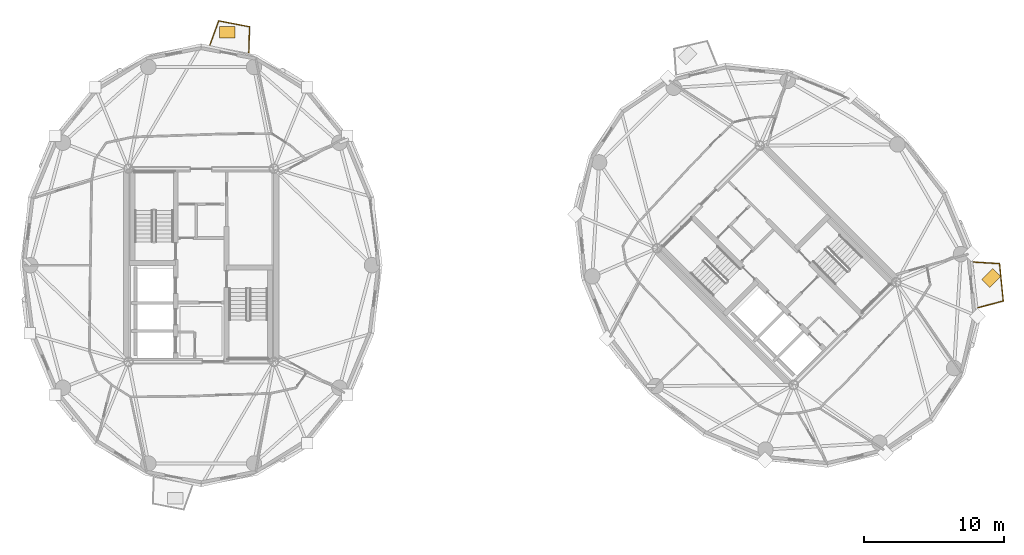
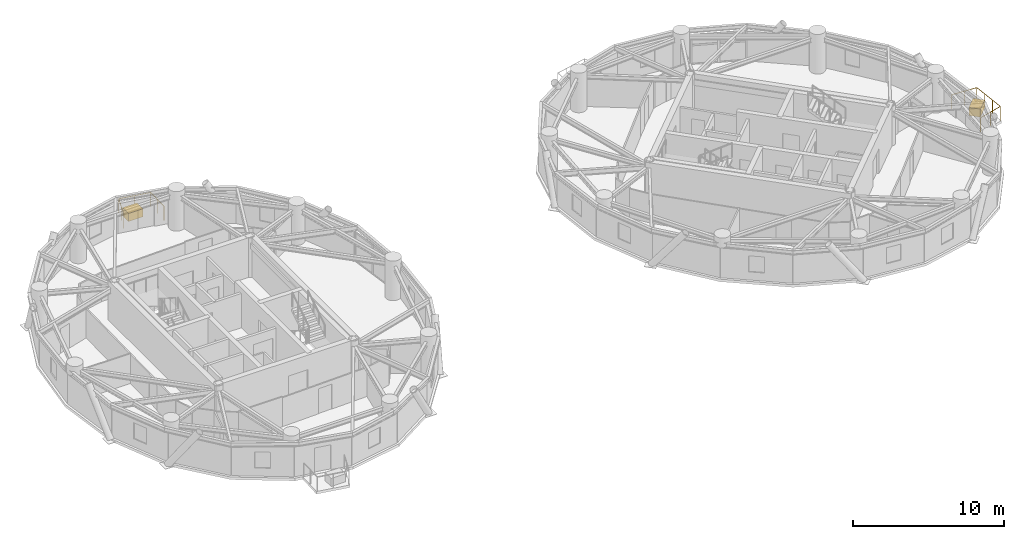
# One storey, part 15 of 15: 2 coverings, 2 railings.
"""IFC4 building model written with IfcOpenShell, lengths in metres."""

from ifc_helpers import new_model, si_unit, direction, frame, origin, origin_2d, place, context, subcontext, project, spatial, rectangle, circle, extrude, source, transform, mapped, material, layer, layer_set, type_object, element, save


model = new_model("IFC4")

# Units and contexts
model_context = context("Model", 3, precision=1e-05, world=origin(), true_north=direction((0.0, 1.0)))
body_context = subcontext(model_context, "Body", "Model", "MODEL_VIEW")
ifc_project = project(units=[si_unit("LENGTHUNIT", "METRE"), si_unit("AREAUNIT", "SQUARE_METRE"), si_unit("VOLUMEUNIT", "CUBIC_METRE"), si_unit("PLANEANGLEUNIT", "RADIAN"), si_unit("MASSUNIT", "GRAM", prefix="KILO")], contexts=[model_context])

# Site, building, storey
site_placement = place(None, origin())
site = spatial("IfcSite", under=ifc_project, at=site_placement, CompositionType="ELEMENT")
building_placement = place(site_placement, origin())
building = spatial("IfcBuilding", under=site, at=building_placement, Name="Cununo Teusaquillo Station Towers", CompositionType="ELEMENT")
storey_placement = place(building_placement, frame((0.0, 0.0, 232.449951171875)))
storey = spatial("IfcBuildingStorey", under=building, at=storey_placement, Name="L74", CompositionType="ELEMENT", Elevation=232.449951171875)

# Railings
ifc_material_1 = material(Name="Anodised dark bronze aluminium EN AW-6063-T6", Category="aluminium")
railing_type = type_object("IfcRailingType", Name="RL-EXT-GUARD", PredefinedType="GUARDRAIL", material=ifc_material_1)
railing_1_placement = place(storey_placement, frame((17.115234375, 40.180419921875, 0.0)))
element("IfcRailing", 1, at=railing_1_placement, inside=storey, type_object=railing_type, Name="L74 Tower A Balcony Guardrail C04", PredefinedType="GUARDRAIL", context=body_context, shape_type="SweptSolid", body=[
    extrude(circle(Radius=0.02392578125, at=origin_2d()), frame((0.0, 0.0, 1.1259765625), z_axis=(0.344196323776, 0.938897699805, 0.0), x_axis=(-0.938897699805, 0.344196323776, 0.0)), (0.0, 0.0, 1.0), 1.844970703125),
    extrude(circle(Radius=0.02392578125, at=origin_2d()), frame((0.635009765625, 1.732177734375, 1.1259765625), z_axis=(0.981834932982, -0.18973709278, 0.0), x_axis=(0.18973709278, 0.981834932982, 0.0)), (0.0, 0.0, 1.0), 2.239013671875),
    extrude(circle(Radius=0.02392578125, at=origin_2d()), frame((2.833251953125, 1.307373046875, 1.1259765625), z_axis=(-0.030305152758, -0.999540693377, 0.0), x_axis=(0.999540693377, -0.030305152758, 0.0)), (0.0, 0.0, 1.0), 1.8447265625),
    extrude(circle(Radius=0.02099609375, at=origin_2d()), origin(), (0.0, 0.0, 1.0), 1.101806640625),
    extrude(circle(Radius=0.02099609375, at=origin_2d()), frame((0.3173828125, 0.8662109375, 0.0)), (0.0, 0.0, 1.0), 1.101806640625),
    extrude(circle(Radius=0.02099609375, at=origin_2d()), frame((0.635009765625, 1.732177734375, 0.0)), (0.0, 0.0, 1.0), 1.101806640625),
    extrude(circle(Radius=0.02099609375, at=origin_2d()), frame((1.734130859375, 1.519775390625, 0.0)), (0.0, 0.0, 1.0), 1.101806640625),
    extrude(circle(Radius=0.02099609375, at=origin_2d()), frame((2.833251953125, 1.307373046875, 0.0)), (0.0, 0.0, 1.0), 1.101806640625),
    extrude(circle(Radius=0.02099609375, at=origin_2d()), frame((2.80517578125, 0.38525390625, 0.0)), (0.0, 0.0, 1.0), 1.101806640625),
    extrude(circle(Radius=0.02099609375, at=origin_2d()), frame((2.77734375, -0.53662109375, 0.0)), (0.0, 0.0, 1.0), 1.101806640625),
])
railing_2_placement = place(storey_placement, frame((71.53662109375, 24.726806640625, 0.0)))
element("IfcRailing", 2, at=railing_2_placement, inside=storey, type_object=railing_type, Name="L74 Tower B Balcony Guardrail C17", PredefinedType="GUARDRAIL", context=body_context, shape_type="SweptSolid", body=[
    extrude(circle(Radius=0.02392578125, at=origin_2d()), frame((0.0, 0.0, 1.1259765625), z_axis=(0.998099930185, -0.061615983027, 0.0), x_axis=(0.061615983027, 0.998099930185, 0.0)), (0.0, 0.0, 1.0), 1.854248046875),
    extrude(circle(Radius=0.02392578125, at=origin_2d()), frame((1.850830078125, -0.1142578125, 1.1259765625), z_axis=(0.098635601058, -0.995123619559, 0.0), x_axis=(0.995123619559, 0.098635601058, 0.0)), (0.0, 0.0, 1.0), 2.673095703125),
    extrude(circle(Radius=0.02392578125, at=origin_2d()), frame((2.114501953125, -2.7744140625, 1.1259765625), z_axis=(-0.966566218565, -0.256417131113, 0.0), x_axis=(0.256417131113, -0.966566218565, 0.0)), (0.0, 0.0, 1.0), 1.854736328125),
    extrude(circle(Radius=0.02099609375, at=origin_2d()), origin(), (0.0, 0.0, 1.0), 1.101806640625),
    extrude(circle(Radius=0.02099609375, at=origin_2d()), frame((0.92529296875, -0.05712890625, 0.0)), (0.0, 0.0, 1.0), 1.101806640625),
    extrude(circle(Radius=0.02099609375, at=origin_2d()), frame((1.850830078125, -0.1142578125, 0.0)), (0.0, 0.0, 1.0), 1.101806640625),
    extrude(circle(Radius=0.02099609375, at=origin_2d()), frame((1.938720703125, -1.0009765625, 0.0)), (0.0, 0.0, 1.0), 1.101806640625),
    extrude(circle(Radius=0.02099609375, at=origin_2d()), frame((2.026611328125, -1.8876953125, 0.0)), (0.0, 0.0, 1.0), 1.101806640625),
    extrude(circle(Radius=0.02099609375, at=origin_2d()), frame((2.114501953125, -2.7744140625, 0.0)), (0.0, 0.0, 1.0), 1.101806640625),
    extrude(circle(Radius=0.02099609375, at=origin_2d()), frame((1.21826171875, -3.01220703125, 0.0)), (0.0, 0.0, 1.0), 1.101806640625),
    extrude(circle(Radius=0.02099609375, at=origin_2d()), frame((0.32177734375, -3.25, 0.0)), (0.0, 0.0, 1.0), 1.101806640625),
])

# Coverings
ifc_material_2 = material(Name="Architectural GRC planter shell and engineered root-zone substrate", Category="concrete")
ifc_layer = layer(ifc_material_2, 0.64990234375)
ifc_layer_set = layer_set([ifc_layer], Name="Architectural GRC planter shell and engineered root-zone substrate")
covering_type = type_object("IfcCoveringType", Name="COV-TREE-PLANTER", PredefinedType="CLADDING", material=ifc_layer_set)
shared_shape = source(origin(), body_context, "Body", "SweptSolid", [
    extrude(rectangle(XDim=1.10009765625, YDim=0.800048828125, at=origin_2d()), origin(), (0.0, 0.0, 1.0), 0.64990234375),
])
for number, where, z_axis, x_axis, name in (
    (3, (18.341796875, 41.102783203125, 0.0), (0.0, 0.0, 1.0), (1.0, 0.0, 0.0), "L74 Tower A Balcony Tree PLANTER C04"),
    (4, (72.79638671875, 23.59765625, 0.0), (0.0, 0.0, 1.0), (0.707106781187, 0.707106781187, 0.0), "L74 Tower B Balcony Tree PLANTER C17"),
):
    element("IfcCovering", number, at=place(storey_placement, frame(where, z_axis=z_axis, x_axis=x_axis)), inside=storey, type_object=covering_type, Name=name, PredefinedType="CLADDING", context=body_context, shape_type="MappedRepresentation", body=[
        mapped(shared_shape, transform((0.0, 0.0, 0.0), x_axis=(1.0, 0.0, 0.0), y_axis=(0.0, 1.0, 0.0), z_axis=(0.0, 0.0, 1.0), scale=1.0)),
    ])

save(model, "model.ifc")
